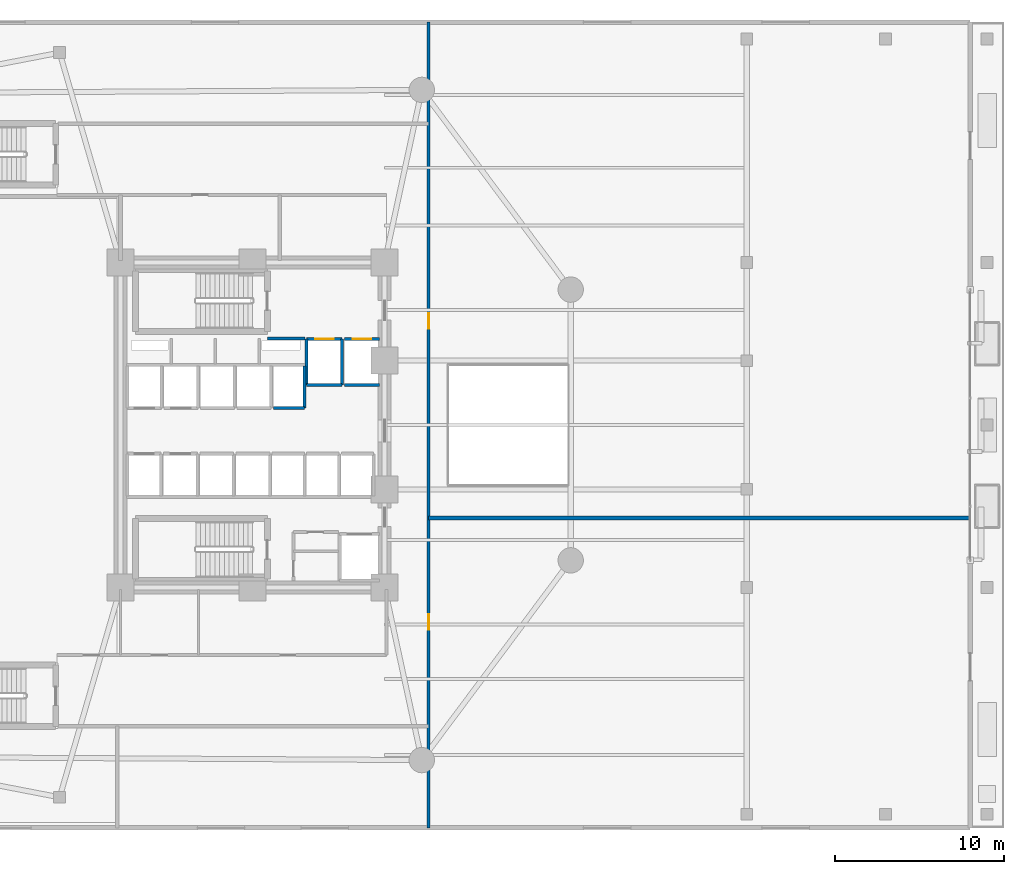
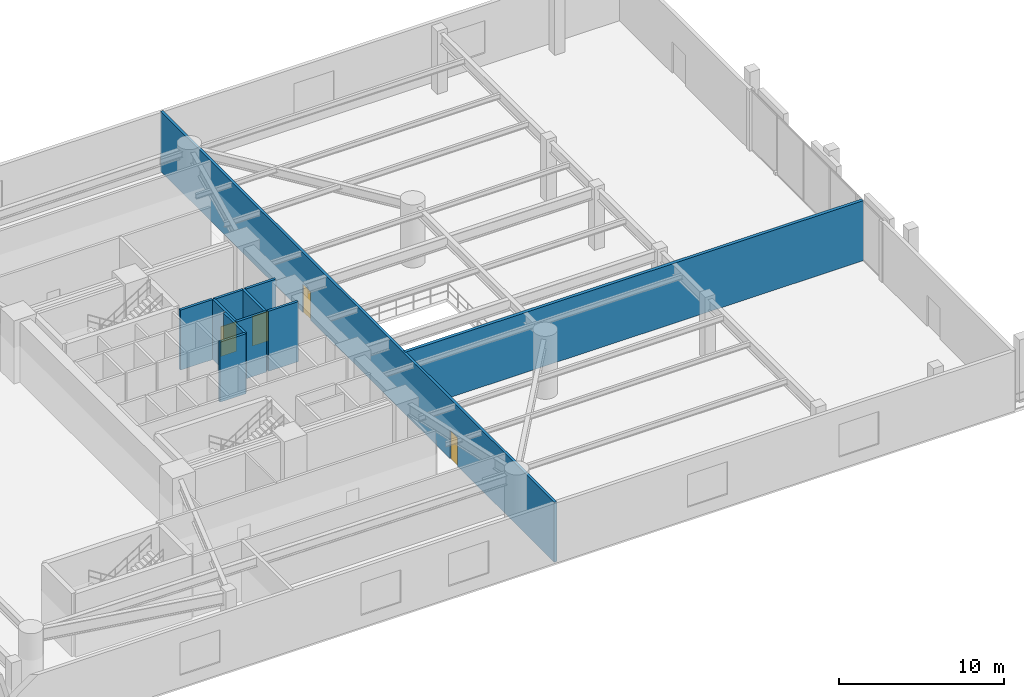
# One storey, part 11 of 16: 11 walls, 4 doors, 4 openings.
"""IFC4 building model written with IfcOpenShell, lengths in metres."""

from ifc_helpers import new_model, si_unit, direction, frame, frame_2d, origin, place, context, subcontext, project, spatial, rectangle, extrude, material, layer, layer_set, type_object, element, fill, save


model = new_model("IFC4")

# Units and contexts
model_context = context("Model", 3, precision=1e-05, world=origin(), true_north=direction((0.0, 1.0)))
body_context = subcontext(model_context, "Body", "Model", "MODEL_VIEW")
ifc_project = project(units=[si_unit("LENGTHUNIT", "METRE"), si_unit("AREAUNIT", "SQUARE_METRE"), si_unit("VOLUMEUNIT", "CUBIC_METRE"), si_unit("PLANEANGLEUNIT", "RADIAN"), si_unit("MASSUNIT", "GRAM", prefix="KILO")], contexts=[model_context])

# Site, building, storey
site_placement = place(None, origin())
site = spatial("IfcSite", under=ifc_project, at=site_placement, CompositionType="ELEMENT")
building_placement = place(site_placement, origin())
building = spatial("IfcBuilding", under=site, at=building_placement, Name="An Khanh Terracotta Commons", CompositionType="ELEMENT")
storey_placement = place(building_placement, frame((0.0, 0.0, 5.39990234375)))
storey = spatial("IfcBuildingStorey", under=building, at=storey_placement, Name="L02", CompositionType="ELEMENT", Elevation=5.39990234375)

# Wall
ifc_material_1 = material(Name="Fire-Rated Gypsum Board on Steel Stud", Category="steel")
ifc_layer_1 = layer(ifc_material_1, 0.179931640625, Name="Fire-Rated Gypsum Board on Steel Stud")
ifc_layer_set_1 = layer_set([ifc_layer_1], Name="Fire-Rated Gypsum Board on Steel Stud")
wall_type_1 = type_object("IfcWallType", Name="WALL-CORR-180", PredefinedType="PARTITIONING", material=ifc_layer_set_1)
wall_1_placement = place(storey_placement, frame((30.27001953125, 29.1201171875, 0.0), z_axis=(0.0, 0.0, 1.0), x_axis=(1.0, 0.0, 0.0)))
element("IfcWall", 1, at=wall_1_placement, inside=storey, type_object=wall_type_1, Name="L02 Core Wall FFLW-L02-S", PredefinedType="PARTITIONING", context=body_context, shape_type="SweptSolid", body=[
    extrude(rectangle(XDim=2.239990234375, YDim=0.179931640625, at=frame_2d((1.1201171875, 0.0))), origin(), (0.0, 0.0, 1.0), 4.43017578125),
])

# Wall, opening, door
wall_2_placement = place(storey_placement, frame((32.60009765625, 29.080078125, 0.0), z_axis=(0.0, 0.0, 1.0), x_axis=(1.0, 0.0, 0.0)))
wall_2 = element("IfcWall", 2, at=wall_2_placement, inside=storey, type_object=wall_type_1, Name="L02 Core Wall LSH-L02-FFL-01-N", PredefinedType="PARTITIONING", context=body_context, shape_type="SweptSolid", body=[
    extrude(rectangle(XDim=2.079833984375, YDim=0.179931640625, at=frame_2d((1.0400390625, 0.0))), origin(), (0.0, 0.0, 1.0), 4.43017578125),
])
opening_1_placement = place(wall_2_placement, frame((0.489990234375, 0.0, 0.0)))
opening_1 = element("IfcOpeningElement", 3, at=opening_1_placement, cuts=wall_2, Name="Opening LD-FFL-01-L02", PredefinedType="OPENING", context=body_context, shape_type="SweptSolid", body=[
    extrude(rectangle(XDim=1.10009765625, YDim=2.199951171875, at=frame_2d((0.550048828125, 1.10009765625))), frame((0.0, 0.099853515625, 0.0), z_axis=(0.0, -1.0, 0.0), x_axis=(1.0, 0.0, 0.0)), (0.0, 0.0, 1.0), 0.199951171875),
])
ifc_material_2 = material(Name="Brushed Stainless Steel Fire Landing Door", Category="steel")
door_type_1 = type_object("IfcDoorType", Name="DOOR-LD-FFL-1100", OperationType="NOTDEFINED", PredefinedType="DOOR", material=ifc_material_2)
door_1_placement = place(opening_1_placement, origin())
door_1 = element("IfcDoor", 4, at=door_1_placement, inside=storey, type_object=door_type_1, Name="L02 Lift FFL-01 Sliding Landing Door", OperationType="DOUBLE_DOOR_SLIDING", OverallHeight=2.199951171875, OverallWidth=1.10009765625, PredefinedType="DOOR", context=body_context, shape_type="SweptSolid", body=[
    extrude(rectangle(XDim=1.10009765625, YDim=2.199951171875, at=frame_2d((0.550048828125, 1.10009765625))), frame((0.0, 0.02490234375, 0.0), z_axis=(0.0, -1.0, 0.0), x_axis=(1.0, 0.0, 0.0)), (0.0, 0.0, 1.0), 0.050048828125),
])
fill(opening_1, door_1)

# Walls
wall_3_placement = place(storey_placement, frame((34.679931640625, 26.35009765625, 0.0), z_axis=(0.0, 0.0, 1.0), x_axis=(-1.0, 0.0, 0.0)))
element("IfcWall", 5, at=wall_3_placement, inside=storey, type_object=wall_type_1, Name="L02 Core Wall LSH-L02-FFL-01-S", PredefinedType="PARTITIONING", context=body_context, shape_type="SweptSolid", body=[
    extrude(rectangle(XDim=2.079833984375, YDim=0.179931640625, at=frame_2d((1.0400390625, 0.0))), origin(), (0.0, 0.0, 1.0), 4.43017578125),
])
for number, where, z_axis, x_axis, name in (
    (6, (34.679931640625, 26.35009765625, 0.0), (0.0, 0.0, 1.0), (0.0, 1.0, 0.0), "L02 Core Wall LSH-L02-FFL-01-E"),
    (7, (32.60009765625, 29.080078125, 0.0), (0.0, 0.0, 1.0), (0.0, -1.0, 0.0), "L02 Core Wall LSH-L02-FFL-01-W"),
):
    element("IfcWall", number, at=place(storey_placement, frame(where, z_axis=z_axis, x_axis=x_axis)), inside=storey, type_object=wall_type_1, Name=name, PredefinedType="PARTITIONING", context=body_context, shape_type="SweptSolid", body=[
        extrude(rectangle(XDim=2.72998046875, YDim=0.179931640625, at=frame_2d((1.364990234375, 0.0))), origin(), (0.0, 0.0, 1.0), 4.43017578125),
    ])

# Wall, opening, door
wall_4_placement = place(storey_placement, frame((34.820068359375, 29.080078125, 0.0), z_axis=(0.0, 0.0, 1.0), x_axis=(1.0, 0.0, 0.0)))
wall_4 = element("IfcWall", 8, at=wall_4_placement, inside=storey, type_object=wall_type_1, Name="L02 Core Wall LSH-L02-FFL-02-N", PredefinedType="PARTITIONING", context=body_context, shape_type="SweptSolid", body=[
    extrude(rectangle(XDim=2.079833984375, YDim=0.179931640625, at=frame_2d((1.0400390625, 0.0))), origin(), (0.0, 0.0, 1.0), 4.43017578125),
])
opening_2_placement = place(wall_4_placement, frame((0.489990234375, 0.0, 0.0)))
opening_2 = element("IfcOpeningElement", 9, at=opening_2_placement, cuts=wall_4, Name="Opening LD-FFL-02-L02", PredefinedType="OPENING", context=body_context, shape_type="SweptSolid", body=[
    extrude(rectangle(XDim=1.10009765625, YDim=2.199951171875, at=frame_2d((0.550048828125, 1.10009765625))), frame((0.0, 0.099853515625, 0.0), z_axis=(0.0, -1.0, 0.0), x_axis=(1.0, 0.0, 0.0)), (0.0, 0.0, 1.0), 0.199951171875),
])
door_2_placement = place(opening_2_placement, origin())
door_2 = element("IfcDoor", 10, at=door_2_placement, inside=storey, type_object=door_type_1, Name="L02 Lift FFL-02 Sliding Landing Door", OperationType="DOUBLE_DOOR_SLIDING", OverallHeight=2.199951171875, OverallWidth=1.10009765625, PredefinedType="DOOR", context=body_context, shape_type="SweptSolid", body=[
    extrude(rectangle(XDim=1.10009765625, YDim=2.199951171875, at=frame_2d((0.550048828125, 1.10009765625))), frame((0.0, 0.02490234375, 0.0), z_axis=(0.0, -1.0, 0.0), x_axis=(1.0, 0.0, 0.0)), (0.0, 0.0, 1.0), 0.050048828125),
])
fill(opening_2, door_2)

# Walls
wall_5_placement = place(storey_placement, frame((36.89990234375, 26.35009765625, 0.0), z_axis=(0.0, 0.0, 1.0), x_axis=(-1.0, 0.0, 0.0)))
element("IfcWall", 11, at=wall_5_placement, inside=storey, type_object=wall_type_1, Name="L02 Core Wall LSH-L02-FFL-02-S", PredefinedType="PARTITIONING", context=body_context, shape_type="SweptSolid", body=[
    extrude(rectangle(XDim=2.079833984375, YDim=0.179931640625, at=frame_2d((1.0400390625, 0.0))), origin(), (0.0, 0.0, 1.0), 4.43017578125),
])
wall_6_placement = place(storey_placement, frame((32.4599609375, 25.0, 0.0), z_axis=(0.0, 0.0, 1.0), x_axis=(-1.0, 0.0, 0.0)))
element("IfcWall", 12, at=wall_6_placement, inside=storey, type_object=wall_type_1, Name="L02 Core Wall LSH-L02-PL-H1-S", PredefinedType="PARTITIONING", context=body_context, shape_type="SweptSolid", body=[
    extrude(rectangle(XDim=1.820068359375, YDim=0.179931640625, at=frame_2d((0.91015625, 0.0))), origin(), (0.0, 0.0, 1.0), 4.43017578125),
])
wall_7_placement = place(storey_placement, frame((32.4599609375, 25.0, 0.0), z_axis=(0.0, 0.0, 1.0), x_axis=(0.0, 1.0, 0.0)))
element("IfcWall", 13, at=wall_7_placement, inside=storey, type_object=wall_type_1, Name="L02 Core Wall LSH-L02-PL-H1-E", PredefinedType="PARTITIONING", context=body_context, shape_type="SweptSolid", body=[
    extrude(rectangle(XDim=2.5, YDim=0.179931640625, at=frame_2d((1.25, 0.0))), origin(), (0.0, 0.0, 1.0), 4.43017578125),
])

# Wall, openings, doors
wall_8_placement = place(storey_placement, frame((39.800048828125, 0.199951171875, 0.0), z_axis=(0.0, 0.0, 1.0), x_axis=(0.0, 1.0, 0.0)))
wall_8 = element("IfcWall", 14, at=wall_8_placement, inside=storey, type_object=wall_type_1, Name="L02 Interior Partition IW-L02-E013", PredefinedType="PARTITIONING", context=body_context, shape_type="SweptSolid", body=[
    extrude(rectangle(XDim=47.60009765625, YDim=0.179931640625, at=frame_2d((23.800048828125, 0.0))), origin(), (0.0, 0.0, 1.0), 4.43017578125),
])
opening_3_placement = place(wall_8_placement, frame((11.68994140625, 0.0, 0.0)))
opening_3 = element("IfcOpeningElement", 15, at=opening_3_placement, cuts=wall_8, Name="Opening D-RM", PredefinedType="OPENING", context=body_context, shape_type="SweptSolid", body=[
    extrude(rectangle(XDim=0.919921875, YDim=2.10009765625, at=frame_2d((0.4599609375, 1.050048828125))), frame((0.0, 0.099853515625, 0.0), z_axis=(0.0, -1.0, 0.0), x_axis=(1.0, 0.0, 0.0)), (0.0, 0.0, 1.0), 0.199951171875),
])
opening_4_placement = place(wall_8_placement, frame((29.489990234375, 0.0, 0.0)))
opening_4 = element("IfcOpeningElement", 16, at=opening_4_placement, cuts=wall_8, Name="Opening D-RM", PredefinedType="OPENING", context=body_context, shape_type="SweptSolid", body=[
    extrude(rectangle(XDim=0.919921875, YDim=2.10009765625, at=frame_2d((0.4599609375, 1.050048828125))), frame((0.0, 0.099853515625, 0.0), z_axis=(0.0, -1.0, 0.0), x_axis=(1.0, 0.0, 0.0)), (0.0, 0.0, 1.0), 0.199951171875),
])
ifc_material_3 = material(Name="Engineered Hardwood Timber Leaf", Category="wood")
door_type_2 = type_object("IfcDoorType", Name="DOOR-INT-920", OperationType="NOTDEFINED", PredefinedType="DOOR", material=ifc_material_3)
door_3_placement = place(opening_3_placement, origin())
door_3 = element("IfcDoor", 17, at=door_3_placement, inside=storey, type_object=door_type_2, Name="L02 SEM Digital Media Seminar Room Door", OperationType="SINGLE_SWING_RIGHT", OverallHeight=2.10009765625, OverallWidth=0.919921875, PredefinedType="DOOR", context=body_context, shape_type="SweptSolid", body=[
    extrude(rectangle(XDim=0.919921875, YDim=2.10009765625, at=frame_2d((0.4599609375, 1.050048828125))), frame((0.0, 0.02490234375, 0.0), z_axis=(0.0, -1.0, 0.0), x_axis=(1.0, 0.0, 0.0)), (0.0, 0.0, 1.0), 0.050048828125),
])
fill(opening_3, door_3)
door_4_placement = place(opening_4_placement, origin())
door_4 = element("IfcDoor", 18, at=door_4_placement, inside=storey, type_object=door_type_2, Name="L02 CAF Terrace Study Cafe and Social Kitchen Door", OperationType="SINGLE_SWING_LEFT", OverallHeight=2.10009765625, OverallWidth=0.919921875, PredefinedType="DOOR", context=body_context, shape_type="SweptSolid", body=[
    extrude(rectangle(XDim=0.919921875, YDim=2.10009765625, at=frame_2d((0.4599609375, 1.050048828125))), frame((0.0, 0.02490234375, 0.0), z_axis=(0.0, -1.0, 0.0), x_axis=(1.0, 0.0, 0.0)), (0.0, 0.0, 1.0), 0.050048828125),
])
fill(opening_4, door_4)

# Wall
ifc_material_4 = material(Name="Acoustic Double-Stud Gypsum and Mineral Wool")
ifc_layer_2 = layer(ifc_material_4, 0.219970703125, Name="Acoustic Double-Stud Gypsum and Mineral Wool")
ifc_layer_set_2 = layer_set([ifc_layer_2], Name="Acoustic Double-Stud Gypsum and Mineral Wool")
wall_type_2 = type_object("IfcWallType", Name="WALL-PARTY-220", PredefinedType="PARTITIONING", material=ifc_layer_set_2)
wall_9_placement = place(storey_placement, frame((39.800048828125, 18.5, 0.0), z_axis=(0.0, 0.0, 1.0), x_axis=(1.0, 0.0, 0.0)))
element("IfcWall", 19, at=wall_9_placement, inside=storey, type_object=wall_type_2, Name="L02 Interior Partition IW-L02-E003", PredefinedType="PARTITIONING", context=body_context, shape_type="SweptSolid", body=[
    extrude(rectangle(XDim=32.0, YDim=0.219970703125, at=frame_2d((16.0, 0.0))), origin(), (0.0, 0.0, 1.0), 4.43017578125),
])

save(model, "model.ifc")
